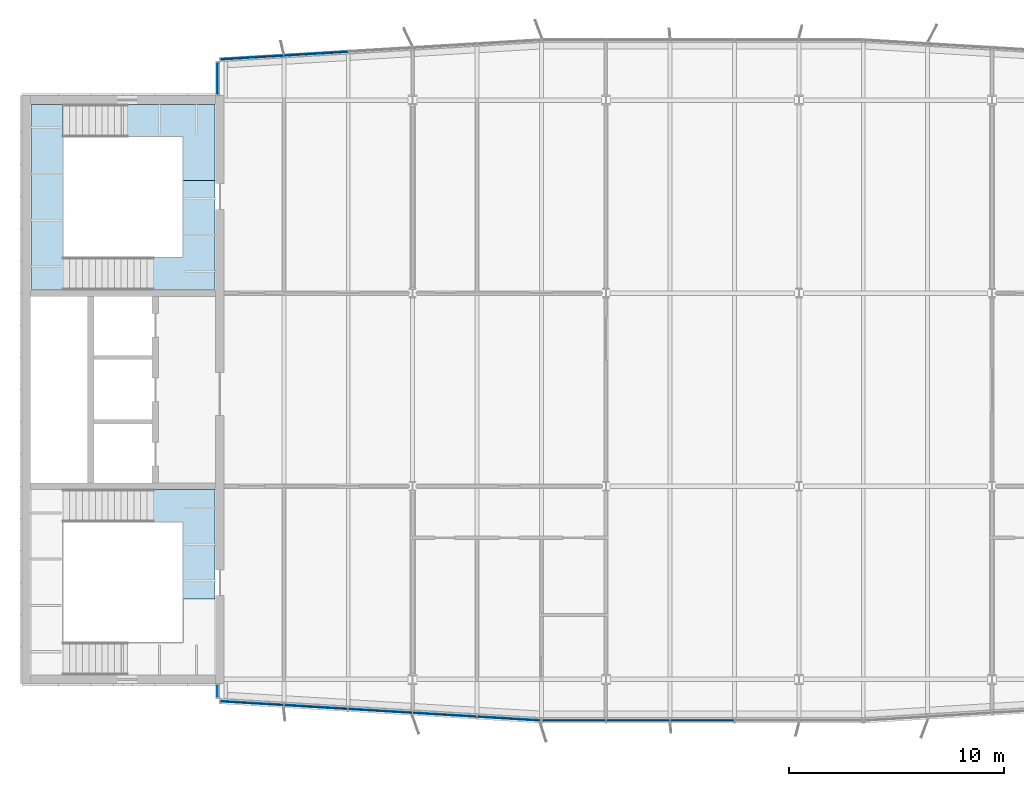
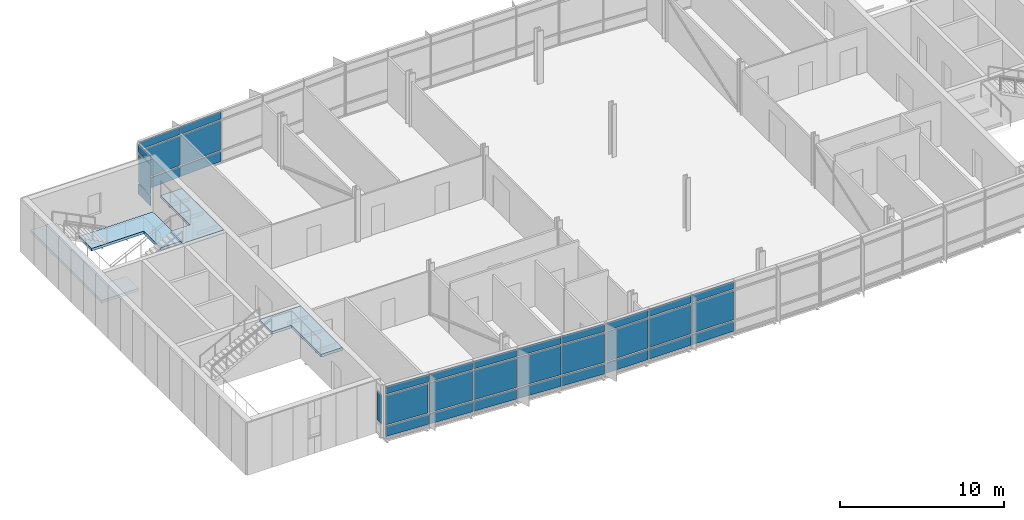
# One storey, part 10 of 20: 34 plates, 4 slabs, 7 elements without a shape of their own.
"""IFC4 building model written with IfcOpenShell, lengths in metres."""

from ifc_helpers import new_model, si_unit, direction, frame, origin, origin_2d, place, context, subcontext, project, spatial, polyline, rectangle, outline, extrude, material, layer, layer_set, type_object, element, aggregate, save


model = new_model("IFC4")

# Units and contexts
model_context = context("Model", 3, precision=1e-05, world=origin(), true_north=direction((0.0, 1.0)))
body_context = subcontext(model_context, "Body", "Model", "MODEL_VIEW")
ifc_project = project(units=[si_unit("LENGTHUNIT", "METRE"), si_unit("AREAUNIT", "SQUARE_METRE"), si_unit("VOLUMEUNIT", "CUBIC_METRE"), si_unit("PLANEANGLEUNIT", "RADIAN"), si_unit("MASSUNIT", "GRAM", prefix="KILO")], contexts=[model_context])

# Site, building, storey
site_placement = place(None, origin())
site = spatial("IfcSite", under=ifc_project, at=site_placement, CompositionType="ELEMENT")
building_placement = place(site_placement, origin())
building = spatial("IfcBuilding", under=site, at=building_placement, Name="Azimuth Sports and Learning Centre", CompositionType="ELEMENT")
storey_placement = place(building_placement, frame((0.0, 0.0, 44.10009765625)))
storey = spatial("IfcBuildingStorey", under=building, at=storey_placement, Name="L09", CompositionType="ELEMENT", Elevation=44.10009765625)

# Stair, slab
ifc_material_1 = material(Name="Concrete C32/40", Category="concrete")
stair_type = type_object("IfcStairType", Name="Square-well stair core 3900 storey", PredefinedType="THREE_QUARTER_TURN_STAIR", material=ifc_material_1)
stair_1_placement = place(storey_placement, origin())
stair_1 = element("IfcStair", 1, at=stair_1_placement, inside=storey, type_object=stair_type, Name="Stair W1 L09-L10", PredefinedType="THREE_QUARTER_TURN_STAIR")
ifc_material_2 = material(Name="Concrete C32/40", Category="concrete")
ifc_layer_1 = layer(ifc_material_2, 0.199951171875)
ifc_layer_set_1 = layer_set([ifc_layer_1], Name="Concrete C32/40")
slab_type = type_object("IfcSlabType", Name="Concrete stair landing", PredefinedType="LANDING", material=ifc_layer_set_1)
slab_1_placement = place(storey_placement, frame((0.0, 0.0, 3.699951171875)))
slab_1 = element("IfcSlab", 2, at=slab_1_placement, type_object=slab_type, Name="Stair W1 L09 landing 3", PredefinedType="LANDING", context=body_context, shape_type="SweptSolid", body=[
    extrude(outline(polyline([(61.2900390625, 97.340087890625), (61.2900390625, 93.75), (62.7900390625, 93.75), (62.7900390625, 98.840087890625), (59.9091796875, 98.840087890625), (59.9091796875, 97.340087890625), (61.2900390625, 97.340087890625)])), origin(), (0.0, 0.0, 1.0), 0.199951171875),
])
aggregate(stair_1, [slab_1])

# Stair, slabs
stair_2_placement = place(storey_placement, origin())
stair_2 = element("IfcStair", 3, at=stair_2_placement, inside=storey, type_object=stair_type, Name="Stair W2 L09-L10", PredefinedType="THREE_QUARTER_TURN_STAIR")
slab_2_placement = place(storey_placement, frame((0.0, 0.0, -0.2001953125)))
slab_2 = element("IfcSlab", 4, at=slab_2_placement, type_object=slab_type, Name="Stair W2 L09 landing 1", PredefinedType="LANDING", context=body_context, shape_type="SweptSolid", body=[
    extrude(outline(polyline([(57.610107421875, 115.2900390625), (61.2900390625, 115.2900390625), (61.2900390625, 113.25), (62.7900390625, 113.25), (62.7900390625, 116.7900390625), (57.610107421875, 116.7900390625), (57.610107421875, 115.2900390625)])), origin(), (0.0, 0.0, 1.0), 0.2001953125),
])
slab_3_placement = place(storey_placement, frame((0.0, 0.0, 1.449951171875)))
slab_3 = element("IfcSlab", 5, at=slab_3_placement, type_object=slab_type, Name="Stair W2 L09 landing 2", PredefinedType="LANDING", context=body_context, shape_type="SweptSolid", body=[
    extrude(outline(polyline([(55.7099609375, 115.2900390625), (55.710693359375, 115.2900390625), (55.710693359375, 116.7900390625), (54.2099609375, 116.7900390625), (54.2099609375, 108.159912109375), (56.81005859375, 108.159912109375), (56.81005859375, 109.659912109375), (55.7099609375, 109.659912109375), (55.7099609375, 115.2900390625)])), origin(), (0.0, 0.0, 1.0), 0.199951171875),
])
slab_4_placement = place(storey_placement, frame((0.0, 0.0, 3.699951171875)))
slab_4 = element("IfcSlab", 6, at=slab_4_placement, type_object=slab_type, Name="Stair W2 L09 landing 3", PredefinedType="LANDING", context=body_context, shape_type="SweptSolid", body=[
    extrude(outline(polyline([(61.2900390625, 109.659912109375), (59.9091796875, 109.659912109375), (59.9091796875, 108.159912109375), (62.7900390625, 108.159912109375), (62.7900390625, 113.25), (61.2900390625, 113.25), (61.2900390625, 109.659912109375)])), origin(), (0.0, 0.0, 1.0), 0.199951171875),
])
aggregate(stair_2, [slab_2, slab_3, slab_4])

# Curtain wall, plates
ifc_material_3 = material(Name="Aluminium and glass", Category="aluminium")
curtain_wall_type_1 = type_object("IfcCurtainWallType", Name="Curtain wall tower south 240", PredefinedType="NOTDEFINED", material=ifc_material_3)
curtain_wall_1_placement = place(storey_placement, origin())
curtain_wall_1 = element("IfcCurtainWall", 7, at=curtain_wall_1_placement, inside=storey, type_object=curtain_wall_type_1, Name="Curtain wall CW09-002", PredefinedType="NOTDEFINED")
ifc_material_4 = material(Name="Insulated aluminium panel", Category="aluminium")
ifc_layer_2 = layer(ifc_material_4, 0.050048828125)
ifc_layer_set_2 = layer_set([ifc_layer_2], Name="Insulated aluminium panel")
plate_type_1 = type_object("IfcPlateType", Name="Spandrel panel 50 mm", PredefinedType="CURTAIN_PANEL", material=ifc_layer_set_2)
plate_1_placement = place(storey_placement, frame((64.51025390625, 88.88916015625, 0.099853515625), z_axis=(0.0, 0.0, 1.0), x_axis=(0.998204863401, -0.059891991812, 0.0)))
plate_1 = element("IfcPlate", 8, at=plate_1_placement, type_object=plate_type_1, Name="CW09-002 panel 1.1", PredefinedType="CURTAIN_PANEL", context=body_context, shape_type="SweptSolid", body=[
    extrude(rectangle(XDim=2.900390625, YDim=0.050048828125, at=origin_2d()), origin(), (0.0, 0.0, 1.0), 0.75),
])
plate_2_placement = place(storey_placement, frame((64.51025390625, 88.88916015625, 3.25), z_axis=(0.0, 0.0, 1.0), x_axis=(0.998204863401, -0.059891991812, 0.0)))
plate_2 = element("IfcPlate", 9, at=plate_2_placement, type_object=plate_type_1, Name="CW09-002 panel 1.3", PredefinedType="CURTAIN_PANEL", context=body_context, shape_type="SweptSolid", body=[
    extrude(rectangle(XDim=2.900390625, YDim=0.050048828125, at=origin_2d()), origin(), (0.0, 0.0, 1.0), 0.550048828125),
])
plate_3_placement = place(storey_placement, frame((67.492919921875, 88.710205078125, 0.099853515625), z_axis=(0.0, 0.0, 1.0), x_axis=(0.998204863401, -0.059891991812, 0.0)))
plate_3 = element("IfcPlate", 10, at=plate_3_placement, type_object=plate_type_1, Name="CW09-002 panel 2.1", PredefinedType="CURTAIN_PANEL", context=body_context, shape_type="SweptSolid", body=[
    extrude(rectangle(XDim=2.935302734375, YDim=0.050048828125, at=origin_2d()), origin(), (0.0, 0.0, 1.0), 0.75),
])
plate_4_placement = place(storey_placement, frame((67.492919921875, 88.710205078125, 3.25), z_axis=(0.0, 0.0, 1.0), x_axis=(0.998204863401, -0.059891991812, 0.0)))
plate_4 = element("IfcPlate", 11, at=plate_4_placement, type_object=plate_type_1, Name="CW09-002 panel 2.3", PredefinedType="CURTAIN_PANEL", context=body_context, shape_type="SweptSolid", body=[
    extrude(rectangle(XDim=2.935302734375, YDim=0.050048828125, at=origin_2d()), origin(), (0.0, 0.0, 1.0), 0.550048828125),
])
plate_5_placement = place(storey_placement, frame((70.492919921875, 88.5302734375, 0.099853515625), z_axis=(0.0, 0.0, 1.0), x_axis=(0.998204863401, -0.059891991812, 0.0)))
plate_5 = element("IfcPlate", 12, at=plate_5_placement, type_object=plate_type_1, Name="CW09-002 panel 3.1", PredefinedType="CURTAIN_PANEL", context=body_context, shape_type="SweptSolid", body=[
    extrude(rectangle(XDim=2.935302734375, YDim=0.050048828125, at=origin_2d()), origin(), (0.0, 0.0, 1.0), 0.75),
])
plate_6_placement = place(storey_placement, frame((70.492919921875, 88.5302734375, 3.25), z_axis=(0.0, 0.0, 1.0), x_axis=(0.998204863401, -0.059891991812, 0.0)))
plate_6 = element("IfcPlate", 13, at=plate_6_placement, type_object=plate_type_1, Name="CW09-002 panel 3.3", PredefinedType="CURTAIN_PANEL", context=body_context, shape_type="SweptSolid", body=[
    extrude(rectangle(XDim=2.935302734375, YDim=0.050048828125, at=origin_2d()), origin(), (0.0, 0.0, 1.0), 0.550048828125),
])
plate_7_placement = place(storey_placement, frame((73.492919921875, 88.35009765625, 0.099853515625), z_axis=(0.0, 0.0, 1.0), x_axis=(0.998204863401, -0.059891991812, 0.0)))
plate_7 = element("IfcPlate", 14, at=plate_7_placement, type_object=plate_type_1, Name="CW09-002 panel 4.1", PredefinedType="CURTAIN_PANEL", context=body_context, shape_type="SweptSolid", body=[
    extrude(rectangle(XDim=2.935302734375, YDim=0.050048828125, at=origin_2d()), origin(), (0.0, 0.0, 1.0), 0.75),
])
plate_8_placement = place(storey_placement, frame((73.492919921875, 88.35009765625, 3.25), z_axis=(0.0, 0.0, 1.0), x_axis=(0.998204863401, -0.059891991812, 0.0)))
plate_8 = element("IfcPlate", 15, at=plate_8_placement, type_object=plate_type_1, Name="CW09-002 panel 4.3", PredefinedType="CURTAIN_PANEL", context=body_context, shape_type="SweptSolid", body=[
    extrude(rectangle(XDim=2.935302734375, YDim=0.050048828125, at=origin_2d()), origin(), (0.0, 0.0, 1.0), 0.550048828125),
])
plate_9_placement = place(storey_placement, frame((76.475341796875, 88.17138671875, 0.099853515625), z_axis=(0.0, 0.0, 1.0), x_axis=(0.998204863401, -0.059891991812, 0.0)))
plate_9 = element("IfcPlate", 16, at=plate_9_placement, type_object=plate_type_1, Name="CW09-002 panel 5.1", PredefinedType="CURTAIN_PANEL", context=body_context, shape_type="SweptSolid", body=[
    extrude(rectangle(XDim=2.900390625, YDim=0.050048828125, at=origin_2d()), origin(), (0.0, 0.0, 1.0), 0.75),
])
plate_10_placement = place(storey_placement, frame((76.475341796875, 88.17138671875, 3.25), z_axis=(0.0, 0.0, 1.0), x_axis=(0.998204863401, -0.059891991812, 0.0)))
plate_10 = element("IfcPlate", 17, at=plate_10_placement, type_object=plate_type_1, Name="CW09-002 panel 5.3", PredefinedType="CURTAIN_PANEL", context=body_context, shape_type="SweptSolid", body=[
    extrude(rectangle(XDim=2.900390625, YDim=0.050048828125, at=origin_2d()), origin(), (0.0, 0.0, 1.0), 0.550048828125),
])

curtain_wall_2_placement = place(storey_placement, origin())
curtain_wall_2 = element("IfcCurtainWall", 18, at=curtain_wall_2_placement, inside=storey, type_object=curtain_wall_type_1, Name="Curtain wall CW09-003", PredefinedType="NOTDEFINED")
plate_11_placement = place(storey_placement, frame((79.513916015625, 88.080078125, 0.099853515625), z_axis=(0.0, 0.0, 1.0), x_axis=(1.0, 0.0, 0.0)))
plate_11 = element("IfcPlate", 19, at=plate_11_placement, type_object=plate_type_1, Name="CW09-003 panel 1.1", PredefinedType="CURTAIN_PANEL", context=body_context, shape_type="SweptSolid", body=[
    extrude(rectangle(XDim=2.902099609375, YDim=0.050048828125, at=origin_2d()), origin(), (0.0, 0.0, 1.0), 0.75),
])
plate_12_placement = place(storey_placement, frame((79.513916015625, 88.080078125, 3.25), z_axis=(0.0, 0.0, 1.0), x_axis=(1.0, 0.0, 0.0)))
plate_12 = element("IfcPlate", 20, at=plate_12_placement, type_object=plate_type_1, Name="CW09-003 panel 1.3", PredefinedType="CURTAIN_PANEL", context=body_context, shape_type="SweptSolid", body=[
    extrude(rectangle(XDim=2.902099609375, YDim=0.050048828125, at=origin_2d()), origin(), (0.0, 0.0, 1.0), 0.550048828125),
])
plate_13_placement = place(storey_placement, frame((82.5, 88.080078125, 0.099853515625), z_axis=(0.0, 0.0, 1.0), x_axis=(1.0, 0.0, 0.0)))
plate_13 = element("IfcPlate", 21, at=plate_13_placement, type_object=plate_type_1, Name="CW09-003 panel 2.1", PredefinedType="CURTAIN_PANEL", context=body_context, shape_type="SweptSolid", body=[
    extrude(rectangle(XDim=2.929931640625, YDim=0.050048828125, at=origin_2d()), origin(), (0.0, 0.0, 1.0), 0.75),
])
plate_14_placement = place(storey_placement, frame((82.5, 88.080078125, 3.25), z_axis=(0.0, 0.0, 1.0), x_axis=(1.0, 0.0, 0.0)))
plate_14 = element("IfcPlate", 22, at=plate_14_placement, type_object=plate_type_1, Name="CW09-003 panel 2.3", PredefinedType="CURTAIN_PANEL", context=body_context, shape_type="SweptSolid", body=[
    extrude(rectangle(XDim=2.929931640625, YDim=0.050048828125, at=origin_2d()), origin(), (0.0, 0.0, 1.0), 0.550048828125),
])
plate_15_placement = place(storey_placement, frame((85.5, 88.080078125, 0.099853515625), z_axis=(0.0, 0.0, 1.0), x_axis=(1.0, 0.0, 0.0)))
plate_15 = element("IfcPlate", 23, at=plate_15_placement, type_object=plate_type_1, Name="CW09-003 panel 3.1", PredefinedType="CURTAIN_PANEL", context=body_context, shape_type="SweptSolid", body=[
    extrude(rectangle(XDim=2.929931640625, YDim=0.050048828125, at=origin_2d()), origin(), (0.0, 0.0, 1.0), 0.75),
])
plate_16_placement = place(storey_placement, frame((85.5, 88.080078125, 3.25), z_axis=(0.0, 0.0, 1.0), x_axis=(1.0, 0.0, 0.0)))
plate_16 = element("IfcPlate", 24, at=plate_16_placement, type_object=plate_type_1, Name="CW09-003 panel 3.3", PredefinedType="CURTAIN_PANEL", context=body_context, shape_type="SweptSolid", body=[
    extrude(rectangle(XDim=2.929931640625, YDim=0.050048828125, at=origin_2d()), origin(), (0.0, 0.0, 1.0), 0.550048828125),
])

ifc_material_5 = material(Name="Aluminium and glass", Category="aluminium")
curtain_wall_type_2 = type_object("IfcCurtainWallType", Name="Curtain wall tower north 180", PredefinedType="NOTDEFINED", material=ifc_material_5)
curtain_wall_3_placement = place(storey_placement, origin())
curtain_wall_3 = element("IfcCurtainWall", 25, at=curtain_wall_3_placement, inside=storey, type_object=curtain_wall_type_2, Name="Curtain wall CW09-009", PredefinedType="NOTDEFINED")
plate_17_placement = place(storey_placement, frame((67.49462890625, 119.159912109375, 0.099853515625), z_axis=(0.0, 0.0, 1.0), x_axis=(-0.998204863401, -0.059891991812, 0.0)))
plate_17 = element("IfcPlate", 26, at=plate_17_placement, type_object=plate_type_1, Name="CW09-009 panel 4.1", PredefinedType="CURTAIN_PANEL", context=body_context, shape_type="SweptSolid", body=[
    extrude(rectangle(XDim=2.9453125, YDim=0.050048828125, at=origin_2d()), origin(), (0.0, 0.0, 1.0), 0.75),
])
plate_18_placement = place(storey_placement, frame((67.49462890625, 119.159912109375, 3.25), z_axis=(0.0, 0.0, 1.0), x_axis=(-0.998204863401, -0.059891991812, 0.0)))
plate_18 = element("IfcPlate", 27, at=plate_18_placement, type_object=plate_type_1, Name="CW09-009 panel 4.3", PredefinedType="CURTAIN_PANEL", context=body_context, shape_type="SweptSolid", body=[
    extrude(rectangle(XDim=2.9453125, YDim=0.050048828125, at=origin_2d()), origin(), (0.0, 0.0, 1.0), 0.550048828125),
])
plate_19_placement = place(storey_placement, frame((64.509521484375, 118.980712890625, 0.099853515625), z_axis=(0.0, 0.0, 1.0), x_axis=(-0.998204863401, -0.059891991812, 0.0)))
plate_19 = element("IfcPlate", 28, at=plate_19_placement, type_object=plate_type_1, Name="CW09-009 panel 5.1", PredefinedType="CURTAIN_PANEL", context=body_context, shape_type="SweptSolid", body=[
    extrude(rectangle(XDim=2.915283203125, YDim=0.050048828125, at=origin_2d()), origin(), (0.0, 0.0, 1.0), 0.75),
])
plate_20_placement = place(storey_placement, frame((64.509521484375, 118.980712890625, 3.25), z_axis=(0.0, 0.0, 1.0), x_axis=(-0.998204863401, -0.059891991812, 0.0)))
plate_20 = element("IfcPlate", 29, at=plate_20_placement, type_object=plate_type_1, Name="CW09-009 panel 5.3", PredefinedType="CURTAIN_PANEL", context=body_context, shape_type="SweptSolid", body=[
    extrude(rectangle(XDim=2.915283203125, YDim=0.050048828125, at=origin_2d()), origin(), (0.0, 0.0, 1.0), 0.550048828125),
])

ifc_material_6 = material(Name="Aluminium and glass", Category="aluminium")
curtain_wall_type_3 = type_object("IfcCurtainWallType", Name="Curtain wall tower return 180", PredefinedType="NOTDEFINED", material=ifc_material_6)
curtain_wall_4_placement = place(storey_placement, origin())
curtain_wall_4 = element("IfcCurtainWall", 30, at=curtain_wall_4_placement, inside=storey, type_object=curtain_wall_type_3, Name="Curtain wall CW09-010", PredefinedType="NOTDEFINED")
plate_21_placement = place(storey_placement, frame((62.909912109375, 118.0, 0.099853515625), z_axis=(0.0, 0.0, 1.0), x_axis=(0.0, -1.0, 0.0)))
plate_21 = element("IfcPlate", 31, at=plate_21_placement, type_object=plate_type_1, Name="CW09-010 panel 1.1", PredefinedType="CURTAIN_PANEL", context=body_context, shape_type="SweptSolid", body=[
    extrude(rectangle(XDim=1.47998046875, YDim=0.050048828125, at=origin_2d()), origin(), (0.0, 0.0, 1.0), 0.75),
])
plate_22_placement = place(storey_placement, frame((62.909912109375, 118.0, 3.25), z_axis=(0.0, 0.0, 1.0), x_axis=(0.0, -1.0, 0.0)))
plate_22 = element("IfcPlate", 32, at=plate_22_placement, type_object=plate_type_1, Name="CW09-010 panel 1.3", PredefinedType="CURTAIN_PANEL", context=body_context, shape_type="SweptSolid", body=[
    extrude(rectangle(XDim=1.47998046875, YDim=0.050048828125, at=origin_2d()), origin(), (0.0, 0.0, 1.0), 0.550048828125),
])

# Curtain wall, plate
curtain_wall_5_placement = place(storey_placement, origin())
curtain_wall_5 = element("IfcCurtainWall", 33, at=curtain_wall_5_placement, inside=storey, type_object=curtain_wall_type_3, Name="Curtain wall CW09-001", PredefinedType="NOTDEFINED")
ifc_material_7 = material(Name="Glass", Category="glass")
ifc_layer_3 = layer(ifc_material_7, 0.031982421875)
ifc_layer_set_3 = layer_set([ifc_layer_3], Name="Glass")
plate_type_2 = type_object("IfcPlateType", Name="Vision glass 32 mm", PredefinedType="CURTAIN_PANEL", material=ifc_layer_set_3)
plate_23_placement = place(storey_placement, frame((62.909912109375, 89.449951171875, 0.94970703125), z_axis=(0.0, 0.0, 1.0), x_axis=(0.0, -1.0, 0.0)))
plate_23 = element("IfcPlate", 34, at=plate_23_placement, type_object=plate_type_2, Name="CW09-001 panel 1.2", PredefinedType="CURTAIN_PANEL", context=body_context, shape_type="SweptSolid", body=[
    extrude(rectangle(XDim=0.580078125, YDim=0.031982421875, at=origin_2d()), origin(), (0.0, 0.0, 1.0), 2.199951171875),
])
aggregate(curtain_wall_5, [plate_23])

# Plate
plate_24_placement = place(storey_placement, frame((64.51025390625, 88.88916015625, 0.94970703125), z_axis=(0.0, 0.0, 1.0), x_axis=(0.998204863401, -0.059891991812, 0.0)))
plate_24 = element("IfcPlate", 35, at=plate_24_placement, type_object=plate_type_2, Name="CW09-002 panel 1.2", PredefinedType="CURTAIN_PANEL", context=body_context, shape_type="SweptSolid", body=[
    extrude(rectangle(XDim=2.900390625, YDim=0.031982421875, at=origin_2d()), origin(), (0.0, 0.0, 1.0), 2.199951171875),
])

plate_25_placement = place(storey_placement, frame((67.492919921875, 88.710205078125, 0.94970703125), z_axis=(0.0, 0.0, 1.0), x_axis=(0.998204863401, -0.059891991812, 0.0)))
plate_25 = element("IfcPlate", 36, at=plate_25_placement, type_object=plate_type_2, Name="CW09-002 panel 2.2", PredefinedType="CURTAIN_PANEL", context=body_context, shape_type="SweptSolid", body=[
    extrude(rectangle(XDim=2.935302734375, YDim=0.031982421875, at=origin_2d()), origin(), (0.0, 0.0, 1.0), 2.199951171875),
])

plate_26_placement = place(storey_placement, frame((70.492919921875, 88.5302734375, 0.94970703125), z_axis=(0.0, 0.0, 1.0), x_axis=(0.998204863401, -0.059891991812, 0.0)))
plate_26 = element("IfcPlate", 37, at=plate_26_placement, type_object=plate_type_2, Name="CW09-002 panel 3.2", PredefinedType="CURTAIN_PANEL", context=body_context, shape_type="SweptSolid", body=[
    extrude(rectangle(XDim=2.935302734375, YDim=0.031982421875, at=origin_2d()), origin(), (0.0, 0.0, 1.0), 2.199951171875),
])

plate_27_placement = place(storey_placement, frame((73.492919921875, 88.35009765625, 0.94970703125), z_axis=(0.0, 0.0, 1.0), x_axis=(0.998204863401, -0.059891991812, 0.0)))
plate_27 = element("IfcPlate", 38, at=plate_27_placement, type_object=plate_type_2, Name="CW09-002 panel 4.2", PredefinedType="CURTAIN_PANEL", context=body_context, shape_type="SweptSolid", body=[
    extrude(rectangle(XDim=2.935302734375, YDim=0.031982421875, at=origin_2d()), origin(), (0.0, 0.0, 1.0), 2.199951171875),
])

plate_28_placement = place(storey_placement, frame((76.475341796875, 88.17138671875, 0.94970703125), z_axis=(0.0, 0.0, 1.0), x_axis=(0.998204863401, -0.059891991812, 0.0)))
plate_28 = element("IfcPlate", 39, at=plate_28_placement, type_object=plate_type_2, Name="CW09-002 panel 5.2", PredefinedType="CURTAIN_PANEL", context=body_context, shape_type="SweptSolid", body=[
    extrude(rectangle(XDim=2.900390625, YDim=0.031982421875, at=origin_2d()), origin(), (0.0, 0.0, 1.0), 2.199951171875),
])

aggregate(curtain_wall_1, [plate_1, plate_24, plate_2, plate_3, plate_25, plate_4, plate_5, plate_26, plate_6, plate_7, plate_27, plate_8, plate_9, plate_28, plate_10])

plate_29_placement = place(storey_placement, frame((79.513916015625, 88.080078125, 0.94970703125), z_axis=(0.0, 0.0, 1.0), x_axis=(1.0, 0.0, 0.0)))
plate_29 = element("IfcPlate", 40, at=plate_29_placement, type_object=plate_type_2, Name="CW09-003 panel 1.2", PredefinedType="CURTAIN_PANEL", context=body_context, shape_type="SweptSolid", body=[
    extrude(rectangle(XDim=2.902099609375, YDim=0.031982421875, at=origin_2d()), origin(), (0.0, 0.0, 1.0), 2.199951171875),
])

plate_30_placement = place(storey_placement, frame((82.5, 88.080078125, 0.94970703125), z_axis=(0.0, 0.0, 1.0), x_axis=(1.0, 0.0, 0.0)))
plate_30 = element("IfcPlate", 41, at=plate_30_placement, type_object=plate_type_2, Name="CW09-003 panel 2.2", PredefinedType="CURTAIN_PANEL", context=body_context, shape_type="SweptSolid", body=[
    extrude(rectangle(XDim=2.929931640625, YDim=0.031982421875, at=origin_2d()), origin(), (0.0, 0.0, 1.0), 2.199951171875),
])

plate_31_placement = place(storey_placement, frame((85.5, 88.080078125, 0.94970703125), z_axis=(0.0, 0.0, 1.0), x_axis=(1.0, 0.0, 0.0)))
plate_31 = element("IfcPlate", 42, at=plate_31_placement, type_object=plate_type_2, Name="CW09-003 panel 3.2", PredefinedType="CURTAIN_PANEL", context=body_context, shape_type="SweptSolid", body=[
    extrude(rectangle(XDim=2.929931640625, YDim=0.031982421875, at=origin_2d()), origin(), (0.0, 0.0, 1.0), 2.199951171875),
])

aggregate(curtain_wall_2, [plate_11, plate_29, plate_12, plate_13, plate_30, plate_14, plate_15, plate_31, plate_16])

plate_32_placement = place(storey_placement, frame((67.49462890625, 119.159912109375, 0.94970703125), z_axis=(0.0, 0.0, 1.0), x_axis=(-0.998204863401, -0.059891991812, 0.0)))
plate_32 = element("IfcPlate", 43, at=plate_32_placement, type_object=plate_type_2, Name="CW09-009 panel 4.2", PredefinedType="CURTAIN_PANEL", context=body_context, shape_type="SweptSolid", body=[
    extrude(rectangle(XDim=2.9453125, YDim=0.031982421875, at=origin_2d()), origin(), (0.0, 0.0, 1.0), 2.199951171875),
])

plate_33_placement = place(storey_placement, frame((64.509521484375, 118.980712890625, 0.94970703125), z_axis=(0.0, 0.0, 1.0), x_axis=(-0.998204863401, -0.059891991812, 0.0)))
plate_33 = element("IfcPlate", 44, at=plate_33_placement, type_object=plate_type_2, Name="CW09-009 panel 5.2", PredefinedType="CURTAIN_PANEL", context=body_context, shape_type="SweptSolid", body=[
    extrude(rectangle(XDim=2.915283203125, YDim=0.031982421875, at=origin_2d()), origin(), (0.0, 0.0, 1.0), 2.199951171875),
])

aggregate(curtain_wall_3, [plate_17, plate_32, plate_18, plate_19, plate_33, plate_20])

plate_34_placement = place(storey_placement, frame((62.909912109375, 118.0, 0.94970703125), z_axis=(0.0, 0.0, 1.0), x_axis=(0.0, -1.0, 0.0)))
plate_34 = element("IfcPlate", 45, at=plate_34_placement, type_object=plate_type_2, Name="CW09-010 panel 1.2", PredefinedType="CURTAIN_PANEL", context=body_context, shape_type="SweptSolid", body=[
    extrude(rectangle(XDim=1.47998046875, YDim=0.031982421875, at=origin_2d()), origin(), (0.0, 0.0, 1.0), 2.199951171875),
])

aggregate(curtain_wall_4, [plate_21, plate_34, plate_22])

save(model, "model.ifc")
